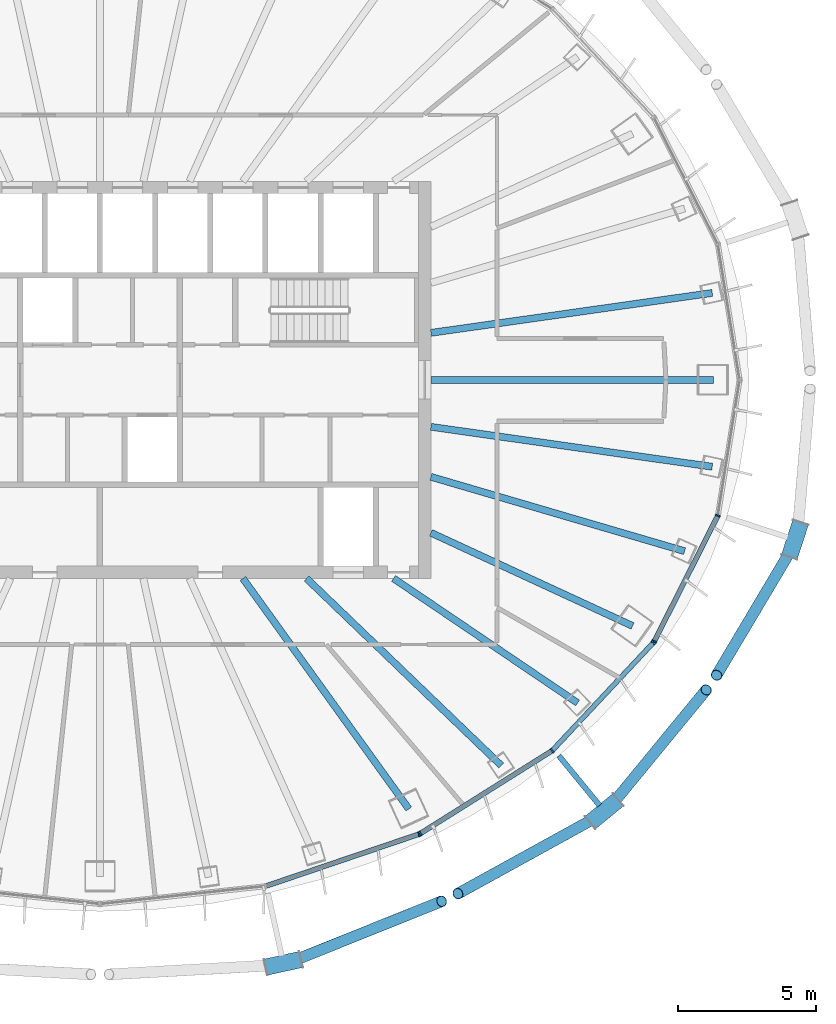
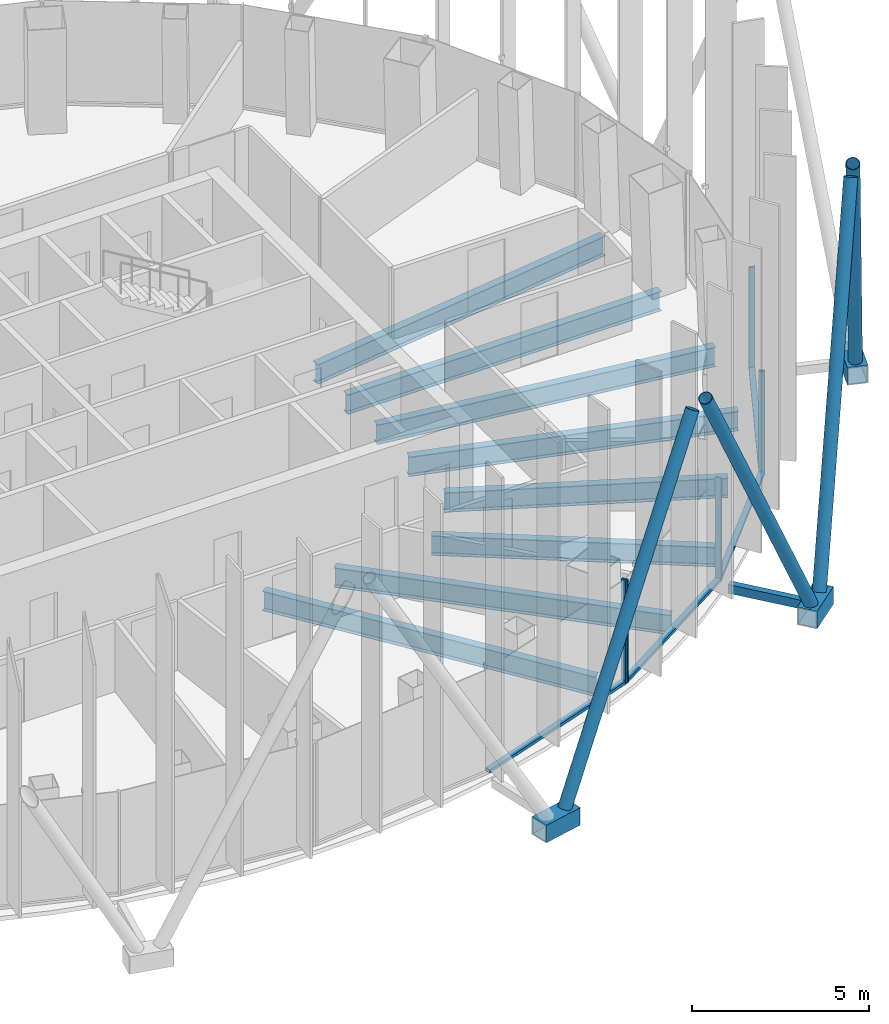
# One storey, part 5 of 19: 18 members, 8 beams, 3 elements without a shape of their own.
"""IFC4 building model written with IfcOpenShell, lengths in metres."""

from ifc_helpers import new_model, si_unit, direction, frame, origin, origin_2d, place, context, subcontext, project, spatial, rectangle, hollow_rectangle, hollow_circle, i_section, extrude, material, layer, layer_set, material_profile, profile_set, type_object, element, aggregate, save


model = new_model("IFC4")

# Units and contexts
model_context = context("Model", 3, precision=1e-05, world=origin(), true_north=direction((0.0, 1.0)))
body_context = subcontext(model_context, "Body", "Model", "MODEL_VIEW")
ifc_project = project(units=[si_unit("LENGTHUNIT", "METRE"), si_unit("AREAUNIT", "SQUARE_METRE"), si_unit("VOLUMEUNIT", "CUBIC_METRE"), si_unit("PLANEANGLEUNIT", "RADIAN"), si_unit("MASSUNIT", "GRAM", prefix="KILO")], contexts=[model_context])

# Site, building, storey
site_placement = place(None, origin())
site = spatial("IfcSite", under=ifc_project, at=site_placement, CompositionType="ELEMENT")
building_placement = place(site_placement, origin())
building = spatial("IfcBuilding", under=site, at=building_placement, Name="Siaravel Broadcast Tower", CompositionType="ELEMENT")
storey_placement = place(building_placement, frame((0.0, 0.0, 179.300048828125)))
storey = spatial("IfcBuildingStorey", under=building, at=storey_placement, Name="L43", CompositionType="ELEMENT", Elevation=179.300048828125)

# Beams
ifc_material_1 = material(Name="Steel S355", Category="steel")
ifc_material_profile_1 = material_profile(ifc_material_1, i_section(OverallWidth=0.2529296875, OverallDepth=0.677978515625, WebThickness=0.01171875, FlangeThickness=0.01611328125, FilletRadius=0.01513671875, at=origin_2d()))
ifc_profile_set_1 = profile_set([ifc_material_profile_1], Name="Steel S355")
beam_type = type_object("IfcBeamType", Name="BM-UB 686x254x125", PredefinedType="BEAM", material=ifc_profile_set_1)
beam_1_placement = place(storey_placement, frame((22.236572265625, 0.0, -0.489013671875), z_axis=(-1.0, 0.0, 0.0), x_axis=(0.0, -1.0, 0.0)))
element("IfcBeam", 1, at=beam_1_placement, inside=storey, type_object=beam_type, Name="Radial beam RB01", PredefinedType="BEAM", context=body_context, shape_type="SweptSolid", body=[
    extrude(i_section(OverallWidth=0.2529296875, OverallDepth=0.677978515625, WebThickness=0.01171875, FlangeThickness=0.01611328125, FilletRadius=0.01513671875, at=origin_2d()), origin(), (0.0, 0.0, 1.0), 10.236572265625),
])
beam_2_placement = place(storey_placement, frame((22.199951171875, 3.15087890625, -0.489013671875), z_axis=(-0.990079883, -0.140505604, 0.0), x_axis=(0.140505604, -0.990079883, 0.0)))
element("IfcBeam", 2, at=beam_2_placement, inside=storey, type_object=beam_type, Name="Radial beam RB02", PredefinedType="BEAM", context=body_context, shape_type="SweptSolid", body=[
    extrude(i_section(OverallWidth=0.2529296875, OverallDepth=0.677978515625, WebThickness=0.01171875, FlangeThickness=0.01611328125, FilletRadius=0.01513671875, at=origin_2d()), origin(), (0.0, 0.0, 1.0), 10.30224609375),
])
beam_3_placement = place(storey_placement, frame((11.197998046875, -15.559814453125, -0.489013671875), z_axis=(-0.584129245, 0.811660659, 0.0), x_axis=(-0.811660659, -0.584129245, 0.0)))
element("IfcBeam", 3, at=beam_3_placement, inside=storey, type_object=beam_type, Name="Radial beam RB31", PredefinedType="BEAM", context=body_context, shape_type="SweptSolid", body=[
    extrude(i_section(OverallWidth=0.2529296875, OverallDepth=0.677978515625, WebThickness=0.01171875, FlangeThickness=0.01611328125, FilletRadius=0.01513671875, at=origin_2d()), origin(), (0.0, 0.0, 1.0), 10.2998046875),
])
beam_4_placement = place(storey_placement, frame((14.54736328125, -13.98388671875, -0.489013671875), z_axis=(-0.720935136, 0.693002547, 0.0), x_axis=(-0.693002547, -0.720935136, 0.0)))
element("IfcBeam", 4, at=beam_4_placement, inside=storey, type_object=beam_type, Name="Radial beam RB32", PredefinedType="BEAM", context=body_context, shape_type="SweptSolid", body=[
    extrude(i_section(OverallWidth=0.2529296875, OverallDepth=0.677978515625, WebThickness=0.01171875, FlangeThickness=0.01611328125, FilletRadius=0.01513671875, at=origin_2d()), origin(), (0.0, 0.0, 1.0), 9.789306640625),
])
beam_5_placement = place(storey_placement, frame((17.318115234375, -11.714599609375, -0.489013671875), z_axis=(-0.828302437, 0.560281245, 0.0), x_axis=(-0.560281245, -0.828302437, 0.0)))
element("IfcBeam", 5, at=beam_5_placement, inside=storey, type_object=beam_type, Name="Radial beam RB33", PredefinedType="BEAM", context=body_context, shape_type="SweptSolid", body=[
    extrude(i_section(OverallWidth=0.2529296875, OverallDepth=0.677978515625, WebThickness=0.01171875, FlangeThickness=0.01611328125, FilletRadius=0.01513671875, at=origin_2d()), origin(), (0.0, 0.0, 1.0), 8.057861328125),
])
beam_6_placement = place(storey_placement, frame((19.31103515625, -8.923828125, -0.489013671875), z_axis=(-0.907765873, 0.419477197, 0.0), x_axis=(-0.419477197, -0.907765873, 0.0)))
element("IfcBeam", 6, at=beam_6_placement, inside=storey, type_object=beam_type, Name="Radial beam RB34", PredefinedType="BEAM", context=body_context, shape_type="SweptSolid", body=[
    extrude(i_section(OverallWidth=0.2529296875, OverallDepth=0.677978515625, WebThickness=0.01171875, FlangeThickness=0.01611328125, FilletRadius=0.01513671875, at=origin_2d()), origin(), (0.0, 0.0, 1.0), 8.053955078125),
])
beam_7_placement = place(storey_placement, frame((21.197998046875, -6.212890625, -0.489013671875), z_axis=(-0.959633167, 0.281254663, 0.0), x_axis=(-0.281254663, -0.959633167, 0.0)))
element("IfcBeam", 7, at=beam_7_placement, inside=storey, type_object=beam_type, Name="Radial beam RB35", PredefinedType="BEAM", context=body_context, shape_type="SweptSolid", body=[
    extrude(i_section(OverallWidth=0.2529296875, OverallDepth=0.677978515625, WebThickness=0.01171875, FlangeThickness=0.01611328125, FilletRadius=0.01513671875, at=origin_2d()), origin(), (0.0, 0.0, 1.0), 9.5849609375),
])
beam_8_placement = place(storey_placement, frame((22.199951171875, -3.15087890625, -0.489013671875), z_axis=(-0.990079883, 0.140505604, 0.0), x_axis=(-0.140505604, -0.990079883, 0.0)))
element("IfcBeam", 8, at=beam_8_placement, inside=storey, type_object=beam_type, Name="Radial beam RB36", PredefinedType="BEAM", context=body_context, shape_type="SweptSolid", body=[
    extrude(i_section(OverallWidth=0.2529296875, OverallDepth=0.677978515625, WebThickness=0.01171875, FlangeThickness=0.01611328125, FilletRadius=0.01513671875, at=origin_2d()), origin(), (0.0, 0.0, 1.0), 10.30224609375),
])

# Curtain wall, member
ifc_material_2 = material(Name="Aluminium 6063-T6", Category="aluminium")
ifc_layer = layer(ifc_material_2, 0.179931640625)
ifc_layer_set = layer_set([ifc_layer], Name="Aluminium 6063-T6")
curtain_wall_type = type_object("IfcCurtainWallType", Name="Unitised curtain wall, zone 3", PredefinedType="NOTDEFINED", material=ifc_layer_set)
curtain_wall_1_placement = place(storey_placement, origin())
curtain_wall_1 = element("IfcCurtainWall", 9, at=curtain_wall_1_placement, inside=storey, type_object=curtain_wall_type, Name="L43 Unitised curtain wall, zone 3 10", PredefinedType="NOTDEFINED")
ifc_material_profile_2 = material_profile(ifc_material_2, rectangle(XDim=0.179931640625, YDim=0.06005859375, at=origin_2d()))
ifc_profile_set_2 = profile_set([ifc_material_profile_2], Name="Aluminium 6063-T6")
member_type_1 = type_object("IfcMemberType", Name="CW-Z3 mullion", PredefinedType="MULLION", material=ifc_profile_set_2)
member_1_placement = place(storey_placement, frame((11.565185546875, -16.472900390625, 0.0), z_axis=(0.0, 0.0, 1.0), x_axis=(-0.321300369, 0.946977335, 0.0)))
member_1 = element("IfcMember", 10, at=member_1_placement, type_object=member_type_1, Name="CW-Z3 mullion 3", PredefinedType="MULLION", context=body_context, shape_type="SweptSolid", body=[
    extrude(rectangle(XDim=0.179931640625, YDim=0.06005859375, at=origin_2d()), origin(), (0.0, 0.0, 1.0), 3.550048828125),
])

# Curtain wall, members
curtain_wall_2_placement = place(storey_placement, origin())
curtain_wall_2 = element("IfcCurtainWall", 11, at=curtain_wall_2_placement, inside=storey, type_object=curtain_wall_type, Name="L43 Unitised curtain wall, zone 3 11", PredefinedType="NOTDEFINED")
member_2_placement = place(storey_placement, frame((11.618896484375, -16.447265625, 0.0), z_axis=(0.0, 0.0, 1.0), x_axis=(-0.532148919, 0.846650771, 0.0)))
member_2 = element("IfcMember", 12, at=member_2_placement, type_object=member_type_1, Name="CW-Z3 mullion 1", PredefinedType="MULLION", context=body_context, shape_type="SweptSolid", body=[
    extrude(rectangle(XDim=0.179931640625, YDim=0.06005859375, at=origin_2d()), origin(), (0.0, 0.0, 1.0), 3.550048828125),
])
member_3_placement = place(storey_placement, frame((16.397216796875, -13.44384765625, 0.0), z_axis=(0.0, 0.0, 1.0), x_axis=(-0.636218366, 0.771509035, 0.0)))
member_3 = element("IfcMember", 13, at=member_3_placement, type_object=member_type_1, Name="CW-Z3 mullion 2", PredefinedType="MULLION", context=body_context, shape_type="SweptSolid", body=[
    extrude(rectangle(XDim=0.179931640625, YDim=0.06005859375, at=origin_2d()), origin(), (0.0, 0.0, 1.0), 3.550048828125),
])
member_4_placement = place(storey_placement, frame((20.064208984375, -9.52978515625, 0.0), z_axis=(0.0, 0.0, 1.0), x_axis=(-0.729805016, 0.683655351, 0.0)))
member_4 = element("IfcMember", 14, at=member_4_placement, type_object=member_type_1, Name="CW-Z3 mullion 3", PredefinedType="MULLION", context=body_context, shape_type="SweptSolid", body=[
    extrude(rectangle(XDim=0.179931640625, YDim=0.06005859375, at=origin_2d()), origin(), (0.0, 0.0, 1.0), 3.550048828125),
])

curtain_wall_3_placement = place(storey_placement, origin())
curtain_wall_3 = element("IfcCurtainWall", 15, at=curtain_wall_3_placement, inside=storey, type_object=curtain_wall_type, Name="L43 Unitised curtain wall, zone 3 12", PredefinedType="NOTDEFINED")
member_5_placement = place(storey_placement, frame((20.09814453125, -9.48095703125, 0.0), z_axis=(0.0, 0.0, 1.0), x_axis=(-0.892392002, 0.451261028, 0.0)))
member_5 = element("IfcMember", 16, at=member_5_placement, type_object=member_type_1, Name="CW-Z3 mullion 1", PredefinedType="MULLION", context=body_context, shape_type="SweptSolid", body=[
    extrude(rectangle(XDim=0.179931640625, YDim=0.06005859375, at=origin_2d()), origin(), (0.0, 0.0, 1.0), 3.550048828125),
])
member_6_placement = place(storey_placement, frame((22.4033203125, -4.922119140625, 0.0), z_axis=(0.0, 0.0, 1.0), x_axis=(-0.95117718, 0.308645383, 0.0)))
member_6 = element("IfcMember", 17, at=member_6_placement, type_object=member_type_1, Name="CW-Z3 mullion 2", PredefinedType="MULLION", context=body_context, shape_type="SweptSolid", body=[
    extrude(rectangle(XDim=0.179931640625, YDim=0.06005859375, at=origin_2d()), origin(), (0.0, 0.0, 1.0), 3.550048828125),
])

# Member
ifc_material_profile_3 = material_profile(ifc_material_2, rectangle(XDim=0.179931640625, YDim=0.10009765625, at=origin_2d()))
ifc_profile_set_3 = profile_set([ifc_material_profile_3], Name="Aluminium 6063-T6")
member_type_2 = type_object("IfcMemberType", Name="CW-Z3 transom", PredefinedType="USERDEFINED", material=ifc_profile_set_3)
member_7_placement = place(storey_placement, frame((6.029296875, -18.35107421875, 0.050048828125), z_axis=(0.946978016, 0.321298361, 0.0), x_axis=(-0.321298361, 0.946978016, 0.0)))
member_7 = element("IfcMember", 18, at=member_7_placement, type_object=member_type_2, Name="CW-Z3 transom 2", ObjectType="TRANSOM", PredefinedType="USERDEFINED", context=body_context, shape_type="SweptSolid", body=[
    extrude(rectangle(XDim=0.179931640625, YDim=0.10009765625, at=origin_2d()), origin(), (0.0, 0.0, 1.0), 5.81591796875),
])

aggregate(curtain_wall_1, [member_1, member_7])

member_8_placement = place(storey_placement, frame((11.644287109375, -16.431396484375, 0.050048828125), z_axis=(0.846649494, 0.53215095, 0.0), x_axis=(-0.53215095, 0.846649494, 0.0)))
member_8 = element("IfcMember", 19, at=member_8_placement, type_object=member_type_2, Name="CW-Z3 transom 1", ObjectType="TRANSOM", PredefinedType="USERDEFINED", context=body_context, shape_type="SweptSolid", body=[
    extrude(rectangle(XDim=0.179931640625, YDim=0.10009765625, at=origin_2d()), origin(), (0.0, 0.0, 1.0), 5.583740234375),
])

member_9_placement = place(storey_placement, frame((16.417724609375, -13.422119140625, 0.050048828125), z_axis=(0.683668525, 0.729792674, 0.0), x_axis=(-0.729792674, 0.683668525, 0.0)))
member_9 = element("IfcMember", 20, at=member_9_placement, type_object=member_type_2, Name="CW-Z3 transom 2", ObjectType="TRANSOM", PredefinedType="USERDEFINED", context=body_context, shape_type="SweptSolid", body=[
    extrude(rectangle(XDim=0.179931640625, YDim=0.10009765625, at=origin_2d()), origin(), (0.0, 0.0, 1.0), 5.3037109375),
])

aggregate(curtain_wall_2, [member_2, member_3, member_4, member_8, member_9])

member_10_placement = place(storey_placement, frame((20.11181640625, -9.4541015625, 0.050048828125), z_axis=(0.451251966, 0.892396584, 0.0), x_axis=(-0.892396584, 0.451251966, 0.0)))
member_10 = element("IfcMember", 21, at=member_10_placement, type_object=member_type_2, Name="CW-Z3 transom 1", ObjectType="TRANSOM", PredefinedType="USERDEFINED", context=body_context, shape_type="SweptSolid", body=[
    extrude(rectangle(XDim=0.179931640625, YDim=0.10009765625, at=origin_2d()), origin(), (0.0, 0.0, 1.0), 5.04833984375),
])

aggregate(curtain_wall_3, [member_5, member_6, member_10])

# Members
ifc_material_3 = material(Name="Steel S460", Category="steel")
ifc_material_profile_4 = material_profile(ifc_material_3, hollow_circle(Radius=0.203125, WallThickness=0.01611328125, at=origin_2d()))
ifc_profile_set_4 = profile_set([ifc_material_profile_4], Name="Steel S460")
member_type_3 = type_object("IfcMemberType", Name="Diagrid diagonal CHS 406.4x16", PredefinedType="BRACE", material=ifc_profile_set_4)
member_11_placement = place(storey_placement, frame((6.963134765625, -21.086181640625, 0.070068359375), z_axis=(0.449666196, 0.180541969, 0.874759916), x_axis=(-0.372592122, 0.92799521, 0.0)))
element("IfcMember", 22, at=member_11_placement, inside=storey, type_object=member_type_3, Name="Diagrid diagonal R18 station 57A", PredefinedType="BRACE", context=body_context, shape_type="SweptSolid", body=[
    extrude(hollow_circle(Radius=0.203125, WallThickness=0.01611328125, at=origin_2d()), origin(), (0.0, 0.0, 1.0), 12.07177734375),
])
member_12_placement = place(storey_placement, frame((18.034423828125, -15.84423828125, 0.070068359375), z_axis=(-0.420262562, -0.231470996, 0.877382788), x_axis=(0.482441263, -0.875928323, 0.0)))
element("IfcMember", 23, at=member_12_placement, inside=storey, type_object=member_type_3, Name="Diagrid diagonal R18 station 63C", PredefinedType="BRACE", context=body_context, shape_type="SweptSolid", body=[
    extrude(hollow_circle(Radius=0.203125, WallThickness=0.01611328125, at=origin_2d()), origin(), (0.0, 0.0, 1.0), 12.03564453125),
])
member_13_placement = place(storey_placement, frame((18.53515625, -15.43408203125, 0.070068359375), z_axis=(0.290339433, 0.353136644, 0.889380416), x_axis=(-0.772444118, 0.635082738, 0.0)))
element("IfcMember", 24, at=member_13_placement, inside=storey, type_object=member_type_3, Name="Diagrid diagonal R18 station 63A", PredefinedType="BRACE", context=body_context, shape_type="SweptSolid", body=[
    extrude(hollow_circle(Radius=0.203125, WallThickness=0.01611328125, at=origin_2d()), origin(), (0.0, 0.0, 1.0), 11.873291015625),
])
member_14_placement = place(storey_placement, frame((25.097412109375, -6.10400390625, 0.070068359375), z_axis=(-0.231536784, -0.389110429, 0.891618636), x_axis=(0.859367197, -0.511358993, 0.0)))
element("IfcMember", 25, at=member_14_placement, inside=storey, type_object=member_type_3, Name="Diagrid diagonal R18 station 69C", PredefinedType="BRACE", context=body_context, shape_type="SweptSolid", body=[
    extrude(hollow_circle(Radius=0.203125, WallThickness=0.01611328125, at=origin_2d()), origin(), (0.0, 0.0, 1.0), 11.843505859375),
])
ifc_material_profile_5 = material_profile(ifc_material_3, hollow_rectangle(XDim=0.60009765625, YDim=0.60009765625, WallThickness=0.031982421875, at=origin_2d()))
ifc_profile_set_5 = profile_set([ifc_material_profile_5], Name="Steel S460")
member_type_4 = type_object("IfcMemberType", Name="Diagrid node BOX 600x600x32", PredefinedType="USERDEFINED", material=ifc_profile_set_5)
for number, where, z_axis, x_axis, name in (
    (26, (6.015380859375, -21.294189453125, -0.199951171875), (0.976743379, 0.214411687, 0.0), (-0.214411687, 0.976743379, 0.0), "Diagrid node R18 station 57"),
    (27, (17.784423828125, -16.049072265625, -0.199951171875), (0.773654476, 0.633607727, 0.0), (-0.633607727, 0.773654476, 0.0), "Diagrid node R18 station 63"),
    (28, (24.9970703125, -6.4111328125, -0.199951171875), (0.310899553, 0.950442775, 0.0), (-0.950442775, 0.310899553, 0.0), "Diagrid node R18 station 69"),
):
    element("IfcMember", number, at=place(storey_placement, frame(where, z_axis=z_axis, x_axis=x_axis)), inside=storey, type_object=member_type_4, Name=name, ObjectType="DIAGRID NODE", PredefinedType="USERDEFINED", context=body_context, shape_type="SweptSolid", body=[
        extrude(hollow_rectangle(XDim=0.60009765625, YDim=0.60009765625, WallThickness=0.031982421875, at=origin_2d()), origin(), (0.0, 0.0, 1.0), 1.29345703125),
    ])
ifc_material_profile_6 = material_profile(ifc_material_3, hollow_rectangle(XDim=0.199951171875, YDim=0.300048828125, WallThickness=0.012451171875, at=origin_2d()))
ifc_profile_set_6 = profile_set([ifc_material_profile_6], Name="Steel S460")
member_type_5 = type_object("IfcMemberType", Name="Diagrid node arm RHS 300x200x12.5", PredefinedType="STRUT", material=ifc_profile_set_6)
member_15_placement = place(storey_placement, frame((16.63720703125, -13.627685546875, -0.199951171875), z_axis=(0.633648482, -0.773621097, 0.0), x_axis=(0.773621097, 0.633648482, 0.0)))
element("IfcMember", 29, at=member_15_placement, inside=storey, type_object=member_type_5, Name="Node arm R18 station 63", PredefinedType="STRUT", context=body_context, shape_type="SweptSolid", body=[
    extrude(hollow_rectangle(XDim=0.199951171875, YDim=0.300048828125, WallThickness=0.012451171875, at=origin_2d()), origin(), (0.0, 0.0, 1.0), 2.330322265625),
])

save(model, "model.ifc")
